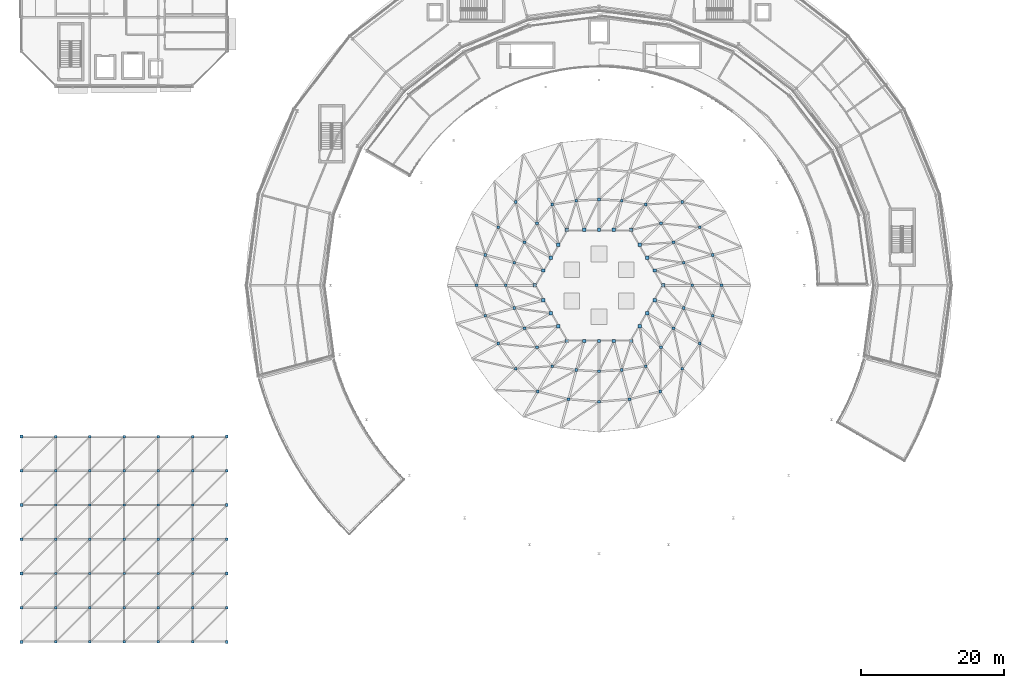
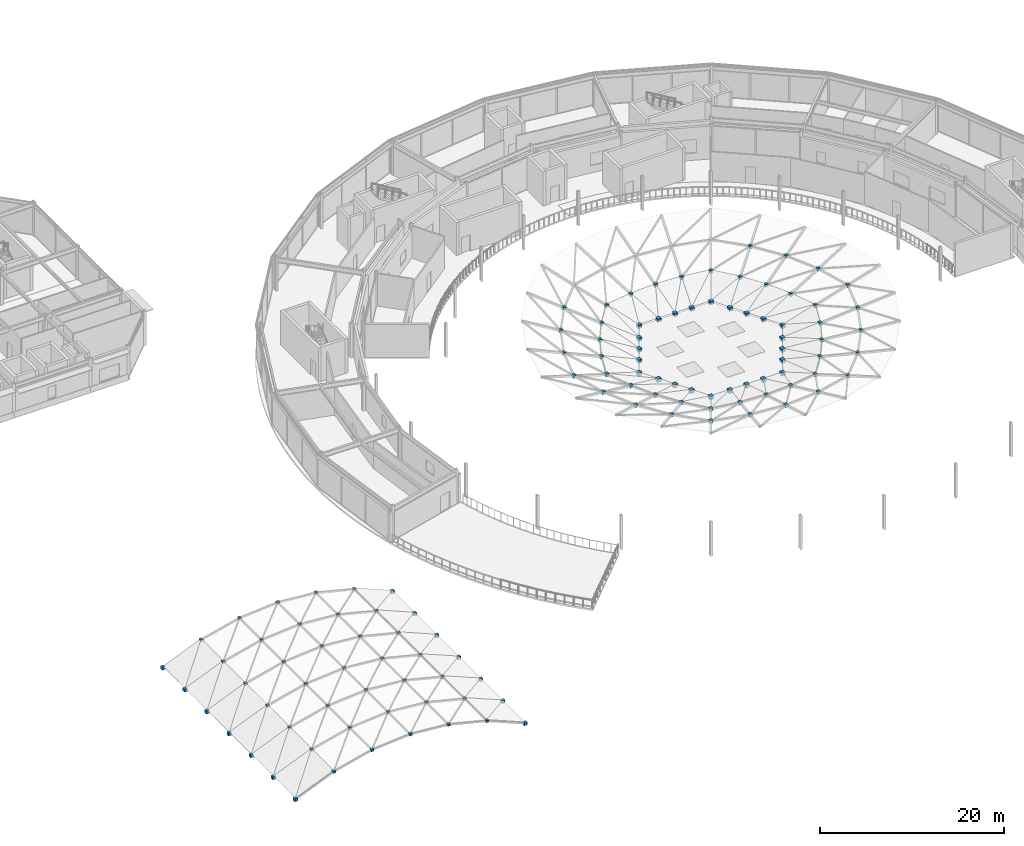
# One storey, part 79 of 116: 116 plates.
"""IFC4 building model written with IfcOpenShell, lengths in metres."""

from ifc_helpers import new_model, si_unit, direction, frame, origin, origin_2d, place, context, subcontext, project, spatial, rectangle, extrude, material, layer, layer_set, type_object, element, save


model = new_model("IFC4")

# Units and contexts
model_context = context("Model", 3, precision=1e-05, world=origin(), true_north=direction((0.0, 1.0)))
body_context = subcontext(model_context, "Body", "Model", "MODEL_VIEW")
ifc_project = project(units=[si_unit("LENGTHUNIT", "METRE"), si_unit("AREAUNIT", "SQUARE_METRE"), si_unit("VOLUMEUNIT", "CUBIC_METRE"), si_unit("PLANEANGLEUNIT", "RADIAN"), si_unit("MASSUNIT", "GRAM", prefix="KILO")], contexts=[model_context])

# Site, building, storey
site_placement = place(None, origin())
site = spatial("IfcSite", under=ifc_project, at=site_placement, CompositionType="ELEMENT")
building_placement = place(site_placement, origin())
building = spatial("IfcBuilding", under=site, at=building_placement, Name="Almandine Court Research Institute", CompositionType="ELEMENT")
storey_placement = place(building_placement, frame((0.0, 0.0, 14.35009765625)))
storey = spatial("IfcBuildingStorey", under=building, at=storey_placement, Name="L03", CompositionType="ELEMENT", Elevation=14.35009765625)

# Plates
ifc_material = material(Name="Steel ASTM A36", Category="steel")
ifc_layer_1 = layer(ifc_material, 0.3798828125)
ifc_layer_set_1 = layer_set([ifc_layer_1], Name="Steel ASTM A36")
plate_type_1 = type_object("IfcPlateType", Name="Plate-NP-02", PredefinedType="SHEET", material=ifc_layer_set_1)
for number, where, z_axis, x_axis, name in (
    (1, (6.0, 6.0, -0.18994140625), (0.0, 0.0, 1.0), (1.0, 0.0, 0.0), "Lecture Gridshell Welded Star Node 0-0"),
    (2, (6.0, 10.800048828125, -0.18994140625), (0.0, 0.0, 1.0), (1.0, 0.0, 0.0), "Lecture Gridshell Welded Star Node 0-1"),
    (3, (6.0, 15.60009765625, -0.18994140625), (0.0, 0.0, 1.0), (1.0, 0.0, 0.0), "Lecture Gridshell Welded Star Node 0-2"),
    (4, (6.0, 20.39990234375, -0.18994140625), (0.0, 0.0, 1.0), (1.0, 0.0, 0.0), "Lecture Gridshell Welded Star Node 0-3"),
    (5, (6.0, 25.199951171875, -0.18994140625), (0.0, 0.0, 1.0), (1.0, 0.0, 0.0), "Lecture Gridshell Welded Star Node 0-4"),
    (6, (6.0, 30.0, -0.18994140625), (0.0, 0.0, 1.0), (1.0, 0.0, 0.0), "Lecture Gridshell Welded Star Node 0-5"),
    (7, (6.0, 34.800048828125, -0.18994140625), (0.0, 0.0, 1.0), (1.0, 0.0, 0.0), "Lecture Gridshell Welded Star Node 0-6"),
    (8, (34.800048828125, 6.0, -0.18994140625), (0.0, 0.0, 1.0), (1.0, 0.0, 0.0), "Lecture Gridshell Welded Star Node 6-0"),
    (9, (34.800048828125, 10.800048828125, -0.18994140625), (0.0, 0.0, 1.0), (1.0, 0.0, 0.0), "Lecture Gridshell Welded Star Node 6-1"),
    (10, (34.800048828125, 15.60009765625, -0.18994140625), (0.0, 0.0, 1.0), (1.0, 0.0, 0.0), "Lecture Gridshell Welded Star Node 6-2"),
    (11, (34.800048828125, 20.39990234375, -0.18994140625), (0.0, 0.0, 1.0), (1.0, 0.0, 0.0), "Lecture Gridshell Welded Star Node 6-3"),
    (12, (34.800048828125, 25.199951171875, -0.18994140625), (0.0, 0.0, 1.0), (1.0, 0.0, 0.0), "Lecture Gridshell Welded Star Node 6-4"),
    (13, (34.800048828125, 30.0, -0.18994140625), (0.0, 0.0, 1.0), (1.0, 0.0, 0.0), "Lecture Gridshell Welded Star Node 6-5"),
    (14, (34.800048828125, 34.800048828125, -0.18994140625), (0.0, 0.0, 1.0), (1.0, 0.0, 0.0), "Lecture Gridshell Welded Star Node 6-6"),
    (15, (104.18603515625, 56.0, 3.323974609375), (0.0, 0.0, 1.0), (1.0, 0.0, 0.0), "Atrium Conical Gridshell Welded Star Node R5-S00"),
    (16, (100.093017578125, 56.0, 2.06689453125), (0.0, 0.0, 1.0), (1.0, 0.0, 0.0), "Atrium Conical Gridshell Welded Star Node R6-S00"),
    (17, (102.9580078125, 60.27587890625, 3.323974609375), (0.0, 0.0, 1.0), (1.0, 0.0, 0.0), "Atrium Conical Gridshell Welded Star Node R5-S01"),
    (18, (98.8759765625, 59.181884765625, 2.06689453125), (0.0, 0.0, 1.0), (1.0, 0.0, 0.0), "Atrium Conical Gridshell Welded Star Node R6-S01"),
    (19, (101.136962890625, 64.162109375, 3.323974609375), (0.0, 0.0, 1.0), (1.0, 0.0, 0.0), "Atrium Conical Gridshell Welded Star Node R5-S02"),
    (20, (97.444091796875, 62.030029296875, 2.06689453125), (0.0, 0.0, 1.0), (1.0, 0.0, 0.0), "Atrium Conical Gridshell Welded Star Node R6-S02"),
    (21, (98.681884765625, 67.681884765625, 3.323974609375), (0.0, 0.0, 1.0), (1.0, 0.0, 0.0), "Atrium Conical Gridshell Welded Star Node R5-S03"),
    (22, (95.694091796875, 64.694091796875, 2.06689453125), (0.0, 0.0, 1.0), (1.0, 0.0, 0.0), "Atrium Conical Gridshell Welded Star Node R6-S03"),
    (23, (93.5458984375, 67.339111328125, 2.06689453125), (0.0, 0.0, 1.0), (1.0, 0.0, 0.0), "Atrium Conical Gridshell Welded Star Node R6-S04"),
    (24, (90.181884765625, 67.8759765625, 2.06689453125), (0.0, 0.0, 1.0), (1.0, 0.0, 0.0), "Atrium Conical Gridshell Welded Star Node R6-S05"),
    (25, (87.0, 68.05908203125, 2.06689453125), (0.0, 0.0, 1.0), (1.0, 0.0, 0.0), "Atrium Conical Gridshell Welded Star Node R6-S06"),
    (26, (83.818115234375, 67.8759765625, 2.06689453125), (0.0, 0.0, 1.0), (1.0, 0.0, 0.0), "Atrium Conical Gridshell Welded Star Node R6-S07"),
    (27, (80.4541015625, 67.339111328125, 2.06689453125), (0.0, 0.0, 1.0), (1.0, 0.0, 0.0), "Atrium Conical Gridshell Welded Star Node R6-S08"),
    (28, (75.318115234375, 67.681884765625, 3.323974609375), (0.0, 0.0, 1.0), (1.0, 0.0, 0.0), "Atrium Conical Gridshell Welded Star Node R5-S09"),
    (29, (78.305908203125, 64.694091796875, 2.06689453125), (0.0, 0.0, 1.0), (1.0, 0.0, 0.0), "Atrium Conical Gridshell Welded Star Node R6-S09"),
    (30, (72.863037109375, 64.162109375, 3.323974609375), (0.0, 0.0, 1.0), (1.0, 0.0, 0.0), "Atrium Conical Gridshell Welded Star Node R5-S10"),
    (31, (76.555908203125, 62.030029296875, 2.06689453125), (0.0, 0.0, 1.0), (1.0, 0.0, 0.0), "Atrium Conical Gridshell Welded Star Node R6-S10"),
    (32, (71.0419921875, 60.27587890625, 3.323974609375), (0.0, 0.0, 1.0), (1.0, 0.0, 0.0), "Atrium Conical Gridshell Welded Star Node R5-S11"),
    (33, (75.1240234375, 59.181884765625, 2.06689453125), (0.0, 0.0, 1.0), (1.0, 0.0, 0.0), "Atrium Conical Gridshell Welded Star Node R6-S11"),
    (34, (69.81396484375, 56.0, 3.323974609375), (0.0, 0.0, 1.0), (1.0, 0.0, 0.0), "Atrium Conical Gridshell Welded Star Node R5-S12"),
    (35, (73.906982421875, 56.0, 2.06689453125), (0.0, 0.0, 1.0), (1.0, 0.0, 0.0), "Atrium Conical Gridshell Welded Star Node R6-S12"),
    (36, (71.0419921875, 51.72412109375, 3.323974609375), (0.0, 0.0, 1.0), (1.0, 0.0, 0.0), "Atrium Conical Gridshell Welded Star Node R5-S13"),
    (37, (75.1240234375, 52.818115234375, 2.06689453125), (0.0, 0.0, 1.0), (1.0, 0.0, 0.0), "Atrium Conical Gridshell Welded Star Node R6-S13"),
    (38, (72.863037109375, 47.837890625, 3.323974609375), (0.0, 0.0, 1.0), (1.0, 0.0, 0.0), "Atrium Conical Gridshell Welded Star Node R5-S14"),
    (39, (76.555908203125, 49.969970703125, 2.06689453125), (0.0, 0.0, 1.0), (1.0, 0.0, 0.0), "Atrium Conical Gridshell Welded Star Node R6-S14"),
    (40, (75.318115234375, 44.318115234375, 3.323974609375), (0.0, 0.0, 1.0), (1.0, 0.0, 0.0), "Atrium Conical Gridshell Welded Star Node R5-S15"),
    (41, (78.305908203125, 47.305908203125, 2.06689453125), (0.0, 0.0, 1.0), (1.0, 0.0, 0.0), "Atrium Conical Gridshell Welded Star Node R6-S15"),
    (42, (78.406982421875, 41.116943359375, 3.323974609375), (0.0, 0.0, 1.0), (1.0, 0.0, 0.0), "Atrium Conical Gridshell Welded Star Node R5-S16"),
    (43, (80.4541015625, 44.660888671875, 2.06689453125), (0.0, 0.0, 1.0), (1.0, 0.0, 0.0), "Atrium Conical Gridshell Welded Star Node R6-S16"),
    (44, (82.72412109375, 40.0419921875, 3.323974609375), (0.0, 0.0, 1.0), (1.0, 0.0, 0.0), "Atrium Conical Gridshell Welded Star Node R5-S17"),
    (45, (83.818115234375, 44.1240234375, 2.06689453125), (0.0, 0.0, 1.0), (1.0, 0.0, 0.0), "Atrium Conical Gridshell Welded Star Node R6-S17"),
    (46, (87.0, 39.676025390625, 3.323974609375), (0.0, 0.0, 1.0), (1.0, 0.0, 0.0), "Atrium Conical Gridshell Welded Star Node R5-S18"),
    (47, (87.0, 43.94091796875, 2.06689453125), (0.0, 0.0, 1.0), (1.0, 0.0, 0.0), "Atrium Conical Gridshell Welded Star Node R6-S18"),
    (48, (91.27587890625, 40.0419921875, 3.323974609375), (0.0, 0.0, 1.0), (1.0, 0.0, 0.0), "Atrium Conical Gridshell Welded Star Node R5-S19"),
    (49, (90.181884765625, 44.1240234375, 2.06689453125), (0.0, 0.0, 1.0), (1.0, 0.0, 0.0), "Atrium Conical Gridshell Welded Star Node R6-S19"),
    (50, (95.593017578125, 41.116943359375, 3.323974609375), (0.0, 0.0, 1.0), (1.0, 0.0, 0.0), "Atrium Conical Gridshell Welded Star Node R5-S20"),
    (51, (93.5458984375, 44.660888671875, 2.06689453125), (0.0, 0.0, 1.0), (1.0, 0.0, 0.0), "Atrium Conical Gridshell Welded Star Node R6-S20"),
    (52, (98.681884765625, 44.318115234375, 3.323974609375), (0.0, 0.0, 1.0), (1.0, 0.0, 0.0), "Atrium Conical Gridshell Welded Star Node R5-S21"),
    (53, (95.694091796875, 47.305908203125, 2.06689453125), (0.0, 0.0, 1.0), (1.0, 0.0, 0.0), "Atrium Conical Gridshell Welded Star Node R6-S21"),
    (54, (101.136962890625, 47.837890625, 3.323974609375), (0.0, 0.0, 1.0), (1.0, 0.0, 0.0), "Atrium Conical Gridshell Welded Star Node R5-S22"),
    (55, (97.444091796875, 49.969970703125, 2.06689453125), (0.0, 0.0, 1.0), (1.0, 0.0, 0.0), "Atrium Conical Gridshell Welded Star Node R6-S22"),
    (56, (102.9580078125, 51.72412109375, 3.323974609375), (0.0, 0.0, 1.0), (1.0, 0.0, 0.0), "Atrium Conical Gridshell Welded Star Node R5-S23"),
    (57, (98.8759765625, 52.818115234375, 2.06689453125), (0.0, 0.0, 1.0), (1.0, 0.0, 0.0), "Atrium Conical Gridshell Welded Star Node R6-S23"),
):
    element("IfcPlate", number, at=place(storey_placement, frame(where, z_axis=z_axis, x_axis=x_axis)), inside=storey, type_object=plate_type_1, Name=name, PredefinedType="SHEET", context=body_context, shape_type="SweptSolid", body=[
        extrude(rectangle(XDim=0.3798828125, YDim=0.3798828125, at=origin_2d()), origin(), (0.0, 0.0, 1.0), 0.3798828125),
    ])
ifc_layer_2 = layer(ifc_material, 0.280029296875)
ifc_layer_set_2 = layer_set([ifc_layer_2], Name="Steel ASTM A36")
plate_type_2 = type_object("IfcPlateType", Name="Plate-NP-03", PredefinedType="SHEET", material=ifc_layer_set_2)
for number, where, z_axis, x_axis, name in (
    (58, (10.800048828125, 6.0, 1.85986328125), (0.0, 0.0, 1.0), (1.0, 0.0, 0.0), "Lecture Gridshell Welded Star Node 1-0"),
    (59, (10.800048828125, 10.800048828125, 1.85986328125), (0.0, 0.0, 1.0), (1.0, 0.0, 0.0), "Lecture Gridshell Welded Star Node 1-1"),
    (60, (10.800048828125, 15.60009765625, 1.85986328125), (0.0, 0.0, 1.0), (1.0, 0.0, 0.0), "Lecture Gridshell Welded Star Node 1-2"),
    (61, (10.800048828125, 20.39990234375, 1.85986328125), (0.0, 0.0, 1.0), (1.0, 0.0, 0.0), "Lecture Gridshell Welded Star Node 1-3"),
    (62, (10.800048828125, 25.199951171875, 1.85986328125), (0.0, 0.0, 1.0), (1.0, 0.0, 0.0), "Lecture Gridshell Welded Star Node 1-4"),
    (63, (10.800048828125, 30.0, 1.85986328125), (0.0, 0.0, 1.0), (1.0, 0.0, 0.0), "Lecture Gridshell Welded Star Node 1-5"),
    (64, (10.800048828125, 34.800048828125, 1.85986328125), (0.0, 0.0, 1.0), (1.0, 0.0, 0.0), "Lecture Gridshell Welded Star Node 1-6"),
    (65, (15.60009765625, 6.0, 3.06005859375), (0.0, 0.0, 1.0), (1.0, 0.0, 0.0), "Lecture Gridshell Welded Star Node 2-0"),
    (66, (15.60009765625, 10.800048828125, 3.06005859375), (0.0, 0.0, 1.0), (1.0, 0.0, 0.0), "Lecture Gridshell Welded Star Node 2-1"),
    (67, (15.60009765625, 15.60009765625, 3.06005859375), (0.0, 0.0, 1.0), (1.0, 0.0, 0.0), "Lecture Gridshell Welded Star Node 2-2"),
    (68, (15.60009765625, 20.39990234375, 3.06005859375), (0.0, 0.0, 1.0), (1.0, 0.0, 0.0), "Lecture Gridshell Welded Star Node 2-3"),
    (69, (15.60009765625, 25.199951171875, 3.06005859375), (0.0, 0.0, 1.0), (1.0, 0.0, 0.0), "Lecture Gridshell Welded Star Node 2-4"),
    (70, (15.60009765625, 30.0, 3.06005859375), (0.0, 0.0, 1.0), (1.0, 0.0, 0.0), "Lecture Gridshell Welded Star Node 2-5"),
    (71, (15.60009765625, 34.800048828125, 3.06005859375), (0.0, 0.0, 1.0), (1.0, 0.0, 0.0), "Lecture Gridshell Welded Star Node 2-6"),
    (72, (20.39990234375, 6.0, 3.4599609375), (0.0, 0.0, 1.0), (1.0, 0.0, 0.0), "Lecture Gridshell Welded Star Node 3-0"),
    (73, (20.39990234375, 10.800048828125, 3.4599609375), (0.0, 0.0, 1.0), (1.0, 0.0, 0.0), "Lecture Gridshell Welded Star Node 3-1"),
    (74, (20.39990234375, 15.60009765625, 3.4599609375), (0.0, 0.0, 1.0), (1.0, 0.0, 0.0), "Lecture Gridshell Welded Star Node 3-2"),
    (75, (20.39990234375, 20.39990234375, 3.4599609375), (0.0, 0.0, 1.0), (1.0, 0.0, 0.0), "Lecture Gridshell Welded Star Node 3-3"),
    (76, (20.39990234375, 25.199951171875, 3.4599609375), (0.0, 0.0, 1.0), (1.0, 0.0, 0.0), "Lecture Gridshell Welded Star Node 3-4"),
    (77, (20.39990234375, 30.0, 3.4599609375), (0.0, 0.0, 1.0), (1.0, 0.0, 0.0), "Lecture Gridshell Welded Star Node 3-5"),
    (78, (20.39990234375, 34.800048828125, 3.4599609375), (0.0, 0.0, 1.0), (1.0, 0.0, 0.0), "Lecture Gridshell Welded Star Node 3-6"),
    (79, (25.199951171875, 6.0, 3.06005859375), (0.0, 0.0, 1.0), (1.0, 0.0, 0.0), "Lecture Gridshell Welded Star Node 4-0"),
    (80, (25.199951171875, 10.800048828125, 3.06005859375), (0.0, 0.0, 1.0), (1.0, 0.0, 0.0), "Lecture Gridshell Welded Star Node 4-1"),
    (81, (25.199951171875, 15.60009765625, 3.06005859375), (0.0, 0.0, 1.0), (1.0, 0.0, 0.0), "Lecture Gridshell Welded Star Node 4-2"),
    (82, (25.199951171875, 20.39990234375, 3.06005859375), (0.0, 0.0, 1.0), (1.0, 0.0, 0.0), "Lecture Gridshell Welded Star Node 4-3"),
    (83, (25.199951171875, 25.199951171875, 3.06005859375), (0.0, 0.0, 1.0), (1.0, 0.0, 0.0), "Lecture Gridshell Welded Star Node 4-4"),
    (84, (25.199951171875, 30.0, 3.06005859375), (0.0, 0.0, 1.0), (1.0, 0.0, 0.0), "Lecture Gridshell Welded Star Node 4-5"),
    (85, (25.199951171875, 34.800048828125, 3.06005859375), (0.0, 0.0, 1.0), (1.0, 0.0, 0.0), "Lecture Gridshell Welded Star Node 4-6"),
    (86, (30.0, 6.0, 1.85986328125), (0.0, 0.0, 1.0), (1.0, 0.0, 0.0), "Lecture Gridshell Welded Star Node 5-0"),
    (87, (30.0, 10.800048828125, 1.85986328125), (0.0, 0.0, 1.0), (1.0, 0.0, 0.0), "Lecture Gridshell Welded Star Node 5-1"),
    (88, (30.0, 15.60009765625, 1.85986328125), (0.0, 0.0, 1.0), (1.0, 0.0, 0.0), "Lecture Gridshell Welded Star Node 5-2"),
    (89, (30.0, 20.39990234375, 1.85986328125), (0.0, 0.0, 1.0), (1.0, 0.0, 0.0), "Lecture Gridshell Welded Star Node 5-3"),
    (90, (30.0, 25.199951171875, 1.85986328125), (0.0, 0.0, 1.0), (1.0, 0.0, 0.0), "Lecture Gridshell Welded Star Node 5-4"),
    (91, (30.0, 30.0, 1.85986328125), (0.0, 0.0, 1.0), (1.0, 0.0, 0.0), "Lecture Gridshell Welded Star Node 5-5"),
    (92, (30.0, 34.800048828125, 1.85986328125), (0.0, 0.0, 1.0), (1.0, 0.0, 0.0), "Lecture Gridshell Welded Star Node 5-6"),
):
    element("IfcPlate", number, at=place(storey_placement, frame(where, z_axis=z_axis, x_axis=x_axis)), inside=storey, type_object=plate_type_2, Name=name, PredefinedType="SHEET", context=body_context, shape_type="SweptSolid", body=[
        extrude(rectangle(XDim=0.340087890625, YDim=0.340087890625, at=origin_2d()), origin(), (0.0, 0.0, 1.0), 0.280029296875),
    ])
ifc_layer_3 = layer(ifc_material, 0.43994140625)
ifc_layer_set_3 = layer_set([ifc_layer_3], Name="Steel ASTM A36")
plate_type_3 = type_object("IfcPlateType", Name="Plate-NP-04", PredefinedType="SHEET", material=ifc_layer_set_3)
for number, where, z_axis, x_axis, name in (
    (93, (96.0, 56.0, 0.780029296875), (0.0, 0.0, 1.0), (1.0, 0.0, 0.0), "Atrium Conical Gridshell Welded Star Node R7-S00"),
    (94, (94.7939453125, 58.087890625, 0.780029296875), (0.0, 0.0, 1.0), (1.0, 0.0, 0.0), "Atrium Conical Gridshell Welded Star Node R7-S01"),
    (95, (93.75, 59.89697265625, 0.780029296875), (0.0, 0.0, 1.0), (1.0, 0.0, 0.0), "Atrium Conical Gridshell Welded Star Node R7-S02"),
    (96, (92.7060546875, 61.7060546875, 0.780029296875), (0.0, 0.0, 1.0), (1.0, 0.0, 0.0), "Atrium Conical Gridshell Welded Star Node R7-S03"),
    (97, (91.5, 63.7939453125, 0.780029296875), (0.0, 0.0, 1.0), (1.0, 0.0, 0.0), "Atrium Conical Gridshell Welded Star Node R7-S04"),
    (98, (89.087890625, 63.7939453125, 0.780029296875), (0.0, 0.0, 1.0), (1.0, 0.0, 0.0), "Atrium Conical Gridshell Welded Star Node R7-S05"),
    (99, (87.0, 63.7939453125, 0.780029296875), (0.0, 0.0, 1.0), (1.0, 0.0, 0.0), "Atrium Conical Gridshell Welded Star Node R7-S06"),
    (100, (84.912109375, 63.7939453125, 0.780029296875), (0.0, 0.0, 1.0), (1.0, 0.0, 0.0), "Atrium Conical Gridshell Welded Star Node R7-S07"),
    (101, (82.5, 63.7939453125, 0.780029296875), (0.0, 0.0, 1.0), (1.0, 0.0, 0.0), "Atrium Conical Gridshell Welded Star Node R7-S08"),
    (102, (81.2939453125, 61.7060546875, 0.780029296875), (0.0, 0.0, 1.0), (1.0, 0.0, 0.0), "Atrium Conical Gridshell Welded Star Node R7-S09"),
    (103, (80.25, 59.89697265625, 0.780029296875), (0.0, 0.0, 1.0), (1.0, 0.0, 0.0), "Atrium Conical Gridshell Welded Star Node R7-S10"),
    (104, (79.2060546875, 58.087890625, 0.780029296875), (0.0, 0.0, 1.0), (1.0, 0.0, 0.0), "Atrium Conical Gridshell Welded Star Node R7-S11"),
    (105, (78.0, 56.0, 0.780029296875), (0.0, 0.0, 1.0), (1.0, 0.0, 0.0), "Atrium Conical Gridshell Welded Star Node R7-S12"),
    (106, (79.2060546875, 53.912109375, 0.780029296875), (0.0, 0.0, 1.0), (1.0, 0.0, 0.0), "Atrium Conical Gridshell Welded Star Node R7-S13"),
    (107, (80.25, 52.10302734375, 0.780029296875), (0.0, 0.0, 1.0), (1.0, 0.0, 0.0), "Atrium Conical Gridshell Welded Star Node R7-S14"),
    (108, (81.2939453125, 50.2939453125, 0.780029296875), (0.0, 0.0, 1.0), (1.0, 0.0, 0.0), "Atrium Conical Gridshell Welded Star Node R7-S15"),
    (109, (82.5, 48.2060546875, 0.780029296875), (0.0, 0.0, 1.0), (1.0, 0.0, 0.0), "Atrium Conical Gridshell Welded Star Node R7-S16"),
    (110, (84.912109375, 48.2060546875, 0.780029296875), (0.0, 0.0, 1.0), (1.0, 0.0, 0.0), "Atrium Conical Gridshell Welded Star Node R7-S17"),
    (111, (87.0, 48.2060546875, 0.780029296875), (0.0, 0.0, 1.0), (1.0, 0.0, 0.0), "Atrium Conical Gridshell Welded Star Node R7-S18"),
    (112, (89.087890625, 48.2060546875, 0.780029296875), (0.0, 0.0, 1.0), (1.0, 0.0, 0.0), "Atrium Conical Gridshell Welded Star Node R7-S19"),
    (113, (91.5, 48.2060546875, 0.780029296875), (0.0, 0.0, 1.0), (1.0, 0.0, 0.0), "Atrium Conical Gridshell Welded Star Node R7-S20"),
    (114, (92.7060546875, 50.2939453125, 0.780029296875), (0.0, 0.0, 1.0), (1.0, 0.0, 0.0), "Atrium Conical Gridshell Welded Star Node R7-S21"),
    (115, (93.75, 52.10302734375, 0.780029296875), (0.0, 0.0, 1.0), (1.0, 0.0, 0.0), "Atrium Conical Gridshell Welded Star Node R7-S22"),
    (116, (94.7939453125, 53.912109375, 0.780029296875), (0.0, 0.0, 1.0), (1.0, 0.0, 0.0), "Atrium Conical Gridshell Welded Star Node R7-S23"),
):
    element("IfcPlate", number, at=place(storey_placement, frame(where, z_axis=z_axis, x_axis=x_axis)), inside=storey, type_object=plate_type_3, Name=name, PredefinedType="SHEET", context=body_context, shape_type="SweptSolid", body=[
        extrude(rectangle(XDim=0.47998046875, YDim=0.47998046875, at=origin_2d()), origin(), (0.0, 0.0, 1.0), 0.43994140625),
    ])

save(model, "model.ifc")
